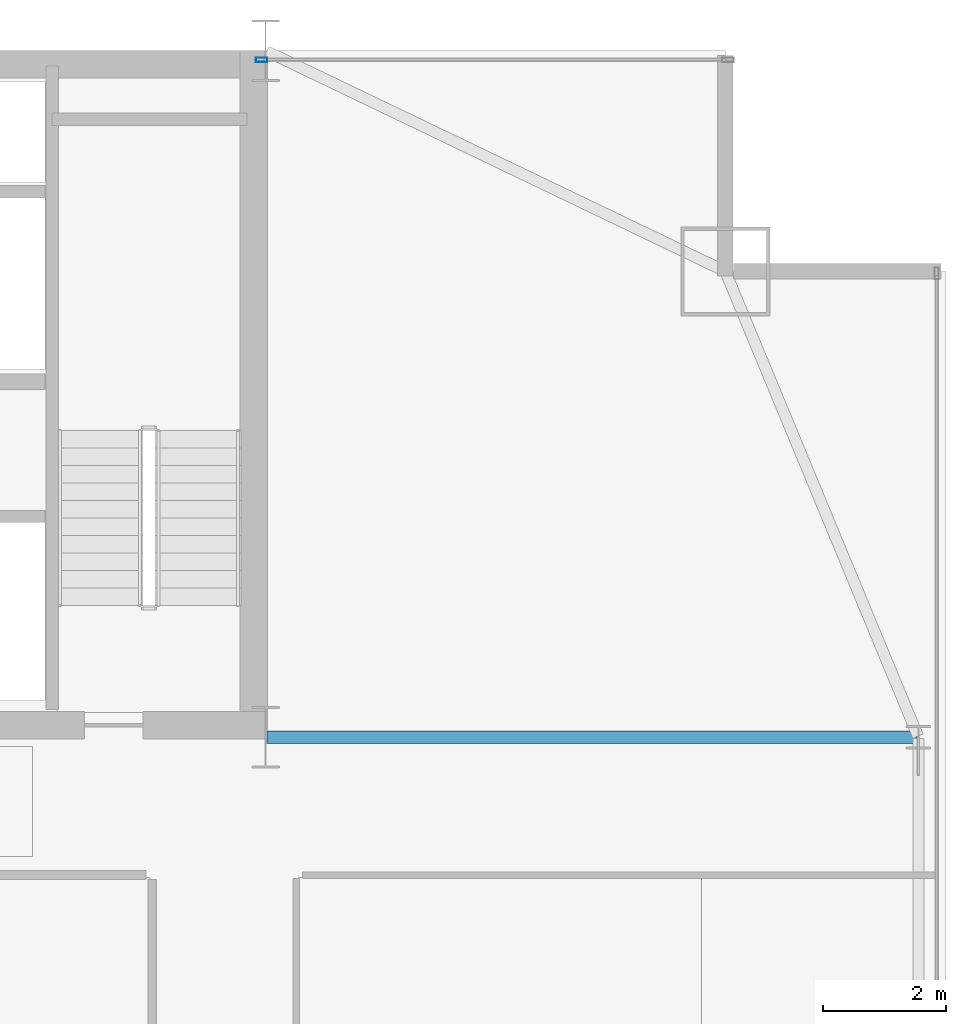
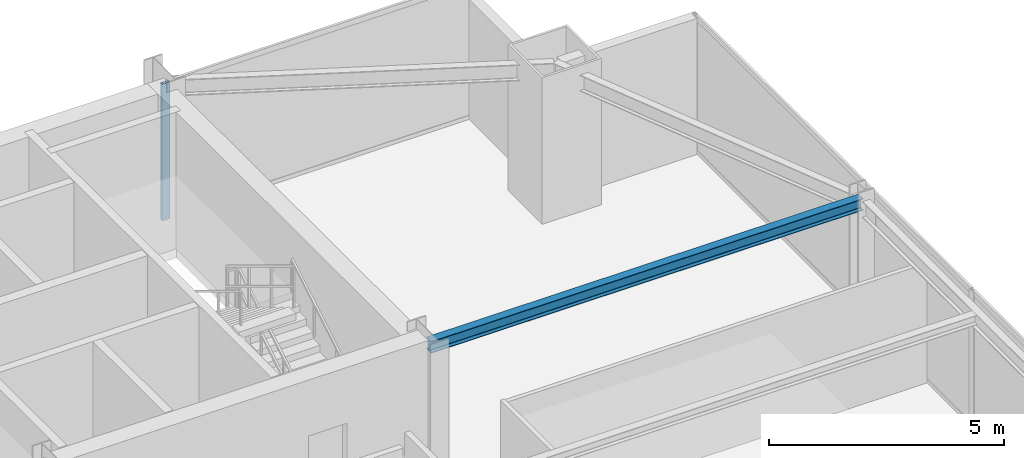
# One storey, part 24 of 36: 1 beam, 1 member, 1 element without a shape of its own.
"""IFC4 building model written with IfcOpenShell, lengths in metres."""

from ifc_helpers import new_model, si_unit, direction, frame, origin, origin_2d, place, context, subcontext, project, spatial, hollow_rectangle, i_section, extrude, source, transform, mapped, material, layer, layer_set, material_profile, profile_set, type_object, type_shapes, element, aggregate, save


model = new_model("IFC4")

# Units and contexts
model_context = context("Model", 3, precision=1e-05, world=origin(), true_north=direction((0.0, 1.0)))
body_context = subcontext(model_context, "Body", "Model", "MODEL_VIEW")
ifc_project = project(units=[si_unit("LENGTHUNIT", "METRE"), si_unit("AREAUNIT", "SQUARE_METRE"), si_unit("VOLUMEUNIT", "CUBIC_METRE"), si_unit("PLANEANGLEUNIT", "RADIAN"), si_unit("MASSUNIT", "GRAM", prefix="KILO")], contexts=[model_context])

# Site, building, storey
site_placement = place(None, origin())
site = spatial("IfcSite", under=ifc_project, at=site_placement, CompositionType="ELEMENT")
building_placement = place(site_placement, origin())
building = spatial("IfcBuilding", under=site, at=building_placement, Name="Varnel Quay Broadcast Tower", CompositionType="ELEMENT")
storey_placement = place(building_placement, frame((0.0, 0.0, 114.39990234375)))
storey = spatial("IfcBuildingStorey", under=building, at=storey_placement, Name="L27", CompositionType="ELEMENT", Elevation=114.39990234375)

# Beam
ifc_material_1 = material(Name="Structural Steel CSA G40.21 350W", Category="steel")
ifc_material_profile_1 = material_profile(ifc_material_1, i_section(OverallWidth=0.202880859375, OverallDepth=0.302978515625, WebThickness=0.007568359375, FlangeThickness=0.01318359375, FilletRadius=0.011962890625, at=origin_2d()), Name="W310X60")
ifc_profile_set_1 = profile_set([ifc_material_profile_1], Name="Structural Steel CSA G40.21 350W")
beam_type = type_object("IfcBeamType", Name="Beam_W310X60", PredefinedType="JOIST", material=ifc_profile_set_1)
shared_shape_1 = source(origin(), body_context, "Body", "SweptSolid", [
    extrude(i_section(OverallWidth=0.202880859375, OverallDepth=0.302978515625, WebThickness=0.007568359375, FlangeThickness=0.01318359375, FilletRadius=0.011962890625, at=origin_2d()), origin(), (0.0, 0.0, 1.0), 10.610107421875),
])
type_shapes(beam_type, [shared_shape_1])
beam_placement = place(storey_placement, frame((52.419921875, 35.60009765625, 3.398681640625), z_axis=(1.0, 0.0, 0.0), x_axis=(0.0, 1.0, 0.0)))
element("IfcBeam", 1, at=beam_placement, inside=storey, type_object=beam_type, Name="L27 East Core Tie Joist", PredefinedType="JOIST", context=body_context, shape_type="MappedRepresentation", body=[
    mapped(shared_shape_1, transform((0.0, 0.0, 0.0), x_axis=(1.0, 0.0, 0.0), y_axis=(0.0, 1.0, 0.0), z_axis=(0.0, 0.0, 1.0), scale=1.0)),
])

# Curtain wall, member
ifc_material_2 = material(Name="Anodised Bronze Aluminium 6063-T6", Category="aluminium")
ifc_layer = layer(ifc_material_2, 0.18994140625, Name="Anodised Bronze Aluminium 6063-T6")
ifc_layer_set = layer_set([ifc_layer], Name="Anodised Bronze Aluminium 6063-T6")
curtain_wall_type = type_object("IfcCurtainWallType", Name="CW_LowerTower", PredefinedType="NOTDEFINED", material=ifc_layer_set)
curtain_wall_placement = place(storey_placement, origin())
curtain_wall = element("IfcCurtainWall", 2, at=curtain_wall_placement, inside=storey, type_object=curtain_wall_type, Name="L27 NE Wing Curtain Wall", PredefinedType="NOTDEFINED")
ifc_material_profile_2 = material_profile(ifc_material_2, hollow_rectangle(XDim=0.070068359375, YDim=0.18994140625, WallThickness=0.00390625, at=origin_2d()), Name="ALU70X190X4")
ifc_profile_set_2 = profile_set([ifc_material_profile_2], Name="Anodised Bronze Aluminium 6063-T6")
member_type = type_object("IfcMemberType", Name="Mull_CWS-02", PredefinedType="MULLION", material=ifc_profile_set_2)
shared_shape_2 = source(origin(), body_context, "Body", "SweptSolid", [
    extrude(hollow_rectangle(XDim=0.070068359375, YDim=0.18994140625, WallThickness=0.00390625, at=origin_2d()), origin(), (0.0, 0.0, 1.0), 3.550048828125),
])
type_shapes(member_type, [shared_shape_2])
member_placement = place(storey_placement, frame((52.3349609375, 46.64990234375, 0.0), z_axis=(0.0, 0.0, 1.0), x_axis=(0.0, 1.0, 0.0)))
member = element("IfcMember", 3, at=member_placement, type_object=member_type, Name="CWS-02 mullion 1", PredefinedType="MULLION", context=body_context, shape_type="MappedRepresentation", body=[
    mapped(shared_shape_2, transform((0.0, 0.0, 0.0), x_axis=(1.0, 0.0, 0.0), y_axis=(0.0, 1.0, 0.0), z_axis=(0.0, 0.0, 1.0), scale=1.0)),
])
aggregate(curtain_wall, [member])

save(model, "model.ifc")
